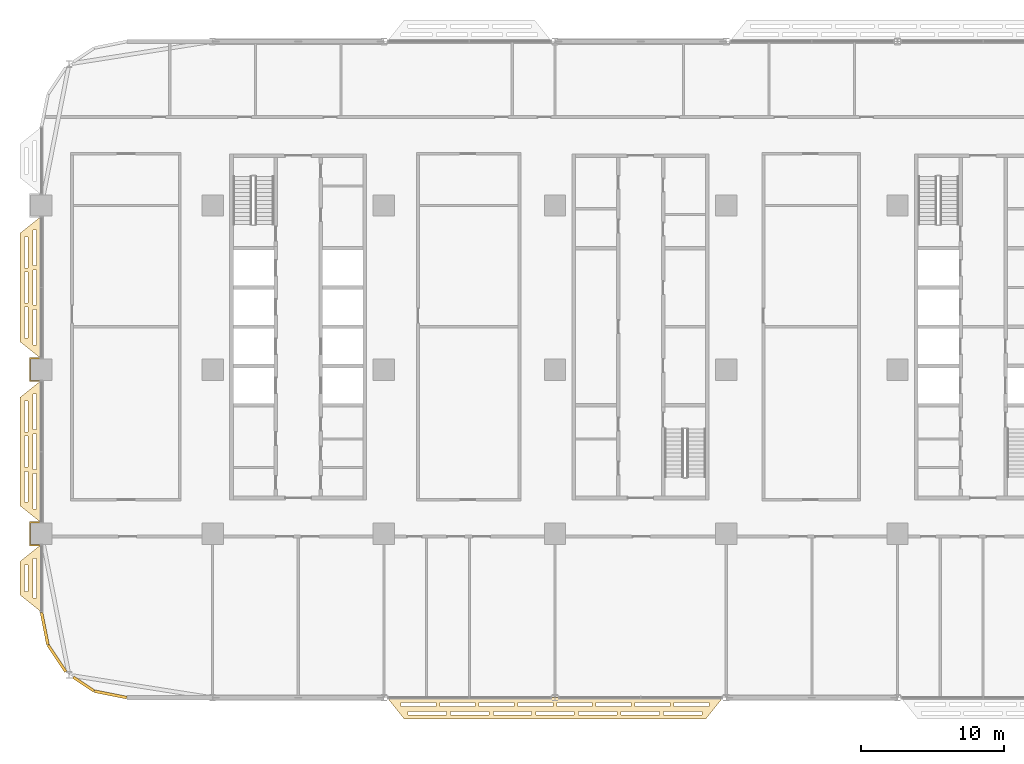
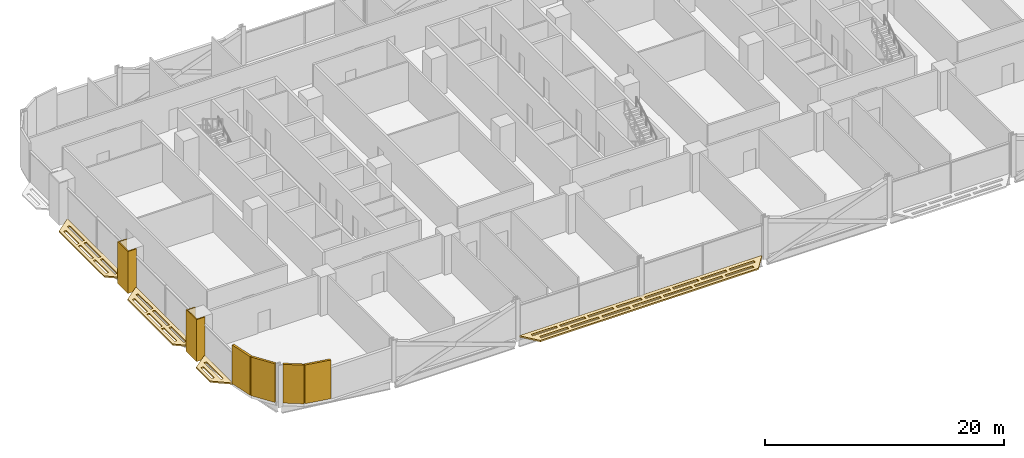
# One storey, part 24 of 29: 10 coverings.
"""IFC4 building model written with IfcOpenShell, lengths in metres."""

from ifc_helpers import new_model, si_unit, direction, frame, origin, origin_2d, place, context, subcontext, project, spatial, polyline, rectangle, outline, extrude, material, layer, layer_set, type_object, element, save


model = new_model("IFC4")

# Units and contexts
model_context = context("Model", 3, precision=1e-05, world=origin(), true_north=direction((0.0, 1.0)))
body_context = subcontext(model_context, "Body", "Model", "MODEL_VIEW")
ifc_project = project(units=[si_unit("LENGTHUNIT", "METRE"), si_unit("AREAUNIT", "SQUARE_METRE"), si_unit("VOLUMEUNIT", "CUBIC_METRE"), si_unit("PLANEANGLEUNIT", "RADIAN"), si_unit("MASSUNIT", "GRAM", prefix="KILO")], contexts=[model_context])

# Site, building, storey
site_placement = place(None, origin())
site = spatial("IfcSite", under=ifc_project, at=site_placement, CompositionType="ELEMENT")
building_placement = place(site_placement, origin())
building = spatial("IfcBuilding", under=site, at=building_placement, Name="Mahtab Terrace Research Tower", CompositionType="ELEMENT")
storey_placement = place(building_placement, frame((0.0, 0.0, 54.60009765625)))
storey = spatial("IfcBuildingStorey", under=building, at=storey_placement, Name="L12", CompositionType="ELEMENT", Elevation=54.60009765625)

# Coverings
ifc_material_1 = material(Name="Black aluminium cladding panel", Category="aluminium")
ifc_layer_1 = layer(ifc_material_1, 0.199951171875)
ifc_layer_set_1 = layer_set([ifc_layer_1], Name="Black metal corner cladding 200")
covering_type_1 = type_object("IfcCoveringType", Name="Black metal corner cladding 200", PredefinedType="CLADDING", material=ifc_layer_set_1)
covering_1_placement = place(storey_placement, frame((-41.771484375, -18.14794921875, 0.0), z_axis=(0.0, 0.0, 1.0), x_axis=(0.195212442692, -0.980760981187, 0.0)))
element("IfcCovering", 1, at=covering_1_placement, inside=storey, type_object=covering_type_1, Name="Corner cladding L12 19", PredefinedType="CLADDING", context=body_context, shape_type="SweptSolid", body=[
    extrude(rectangle(XDim=2.30126953125, YDim=0.199951171875, at=origin_2d()), origin(), (0.0, 0.0, 1.0), 3.9599609375),
])
covering_2_placement = place(storey_placement, frame((-40.911376953125, -20.2421875, 0.0), z_axis=(0.0, 0.0, 1.0), x_axis=(0.555291490808, -0.831655794326, 0.0)))
element("IfcCovering", 2, at=covering_2_placement, inside=storey, type_object=covering_type_1, Name="Corner cladding L12 20", PredefinedType="CLADDING", context=body_context, shape_type="SweptSolid", body=[
    extrude(rectangle(XDim=2.235595703125, YDim=0.199951171875, at=origin_2d()), origin(), (0.0, 0.0, 1.0), 3.9599609375),
])
covering_3_placement = place(storey_placement, frame((-39.0380859375, -22.047607421875, 0.0), z_axis=(0.0, 0.0, 1.0), x_axis=(0.831655794326, -0.555291490808, 0.0)))
element("IfcCovering", 3, at=covering_3_placement, inside=storey, type_object=covering_type_1, Name="Corner cladding L12 21", PredefinedType="CLADDING", context=body_context, shape_type="SweptSolid", body=[
    extrude(rectangle(XDim=1.74462890625, YDim=0.199951171875, at=origin_2d()), origin(), (0.0, 0.0, 1.0), 3.9599609375),
])
covering_4_placement = place(storey_placement, frame((-37.14794921875, -22.771484375, 0.0), z_axis=(0.0, 0.0, 1.0), x_axis=(0.980760981187, -0.195212442692, 0.0)))
element("IfcCovering", 4, at=covering_4_placement, inside=storey, type_object=covering_type_1, Name="Corner cladding L12 22", PredefinedType="CLADDING", context=body_context, shape_type="SweptSolid", body=[
    extrude(rectangle(XDim=2.30126953125, YDim=0.199951171875, at=origin_2d()), origin(), (0.0, 0.0, 1.0), 3.9599609375),
])
ifc_material_2 = material(Name="Dark anodised aluminium cladding", Category="aluminium")
ifc_layer_2 = layer(ifc_material_2, 0.10009765625)
ifc_layer_set_2 = layer_set([ifc_layer_2], Name="Column casing 100")
covering_type_2 = type_object("IfcCoveringType", Name="Column casing 100", PredefinedType="CLADDING", material=ifc_layer_set_2)
covering_5_placement = place(storey_placement, frame((0.0, 0.0, -0.340087890625)))
element("IfcCovering", 5, at=covering_5_placement, inside=storey, type_object=covering_type_2, Name="Column casing RC-1A L12", PredefinedType="CLADDING", context=body_context, shape_type="SweptSolid", body=[
    extrude(outline(polyline([(-42.85009765625, -10.64990234375), (-42.0, -10.64990234375), (-42.0, -10.75), (-42.75, -10.75), (-42.75, -12.25), (-42.0, -12.25), (-42.0, -12.35009765625), (-42.85009765625, -12.35009765625), (-42.85009765625, -10.64990234375)])), origin(), (0.0, 0.0, 1.0), 4.300048828125),
])
covering_6_placement = place(storey_placement, frame((0.0, 0.0, -0.340087890625)))
element("IfcCovering", 6, at=covering_6_placement, inside=storey, type_object=covering_type_2, Name="Column casing RC-1B L12", PredefinedType="CLADDING", context=body_context, shape_type="SweptSolid", body=[
    extrude(outline(polyline([(-42.85009765625, 0.85009765625), (-42.0, 0.85009765625), (-42.0, 0.75), (-42.75, 0.75), (-42.75, -0.75), (-42.0, -0.75), (-42.0, -0.85009765625), (-42.85009765625, -0.85009765625), (-42.85009765625, 0.85009765625)])), origin(), (0.0, 0.0, 1.0), 4.300048828125),
])
ifc_material_3 = material(Name="Black anodised aluminium", Category="aluminium")
ifc_layer_3 = layer(ifc_material_3, 0.14990234375)
ifc_layer_set_3 = layer_set([ifc_layer_3], Name="Horizontal sunshade band")
covering_type_3 = type_object("IfcCoveringType", Name="Horizontal sunshade band", PredefinedType="CLADDING", material=ifc_layer_set_3)
covering_7_placement = place(storey_placement, frame((0.0, 0.0, -0.150146484375)))
element("IfcCovering", 7, at=covering_7_placement, inside=storey, type_object=covering_type_3, Name="Sunshade band L12 16", PredefinedType="CLADDING", context=body_context, shape_type="SweptSolid", body=[
    extrude(outline(polyline([(-42.0, 10.75), (-42.0, 0.75), (-43.5, 1.949951171875), (-43.5, 9.550048828125), (-42.0, 10.75)]), holes=[polyline([(-42.35009765625, 9.77001953125), (-42.35009765625, 7.2900390625), (-42.60009765625, 7.2900390625), (-42.60009765625, 9.77001953125), (-42.35009765625, 9.77001953125)]), polyline([(-42.35009765625, 6.989990234375), (-42.35009765625, 4.510009765625), (-42.60009765625, 4.510009765625), (-42.60009765625, 6.989990234375), (-42.35009765625, 6.989990234375)]), polyline([(-42.35009765625, 4.2099609375), (-42.35009765625, 1.72998046875), (-42.60009765625, 1.72998046875), (-42.60009765625, 4.2099609375), (-42.35009765625, 4.2099609375)]), polyline([(-42.949951171875, 9.2900390625), (-42.949951171875, 7.1298828125), (-43.199951171875, 7.1298828125), (-43.199951171875, 9.2900390625), (-42.949951171875, 9.2900390625)]), polyline([(-42.949951171875, 6.830078125), (-42.949951171875, 4.669921875), (-43.199951171875, 4.669921875), (-43.199951171875, 6.830078125), (-42.949951171875, 6.830078125)]), polyline([(-42.949951171875, 4.3701171875), (-42.949951171875, 2.2099609375), (-43.199951171875, 2.2099609375), (-43.199951171875, 4.3701171875), (-42.949951171875, 4.3701171875)])]), origin(), (0.0, 0.0, 1.0), 0.150146484375),
])
covering_8_placement = place(storey_placement, frame((0.0, 0.0, -0.150146484375)))
element("IfcCovering", 8, at=covering_8_placement, inside=storey, type_object=covering_type_3, Name="Sunshade band L12 17", PredefinedType="CLADDING", context=body_context, shape_type="SweptSolid", body=[
    extrude(outline(polyline([(-42.0, -0.75), (-42.0, -10.75), (-43.5, -9.550048828125), (-43.5, -1.949951171875), (-42.0, -0.75)]), holes=[polyline([(-42.35009765625, -1.72998046875), (-42.35009765625, -4.2099609375), (-42.60009765625, -4.2099609375), (-42.60009765625, -1.72998046875), (-42.35009765625, -1.72998046875)]), polyline([(-42.35009765625, -4.510009765625), (-42.35009765625, -6.989990234375), (-42.60009765625, -6.989990234375), (-42.60009765625, -4.510009765625), (-42.35009765625, -4.510009765625)]), polyline([(-42.35009765625, -7.2900390625), (-42.35009765625, -9.77001953125), (-42.60009765625, -9.77001953125), (-42.60009765625, -7.2900390625), (-42.35009765625, -7.2900390625)]), polyline([(-42.949951171875, -2.2099609375), (-42.949951171875, -4.3701171875), (-43.199951171875, -4.3701171875), (-43.199951171875, -2.2099609375), (-42.949951171875, -2.2099609375)]), polyline([(-42.949951171875, -4.669921875), (-42.949951171875, -6.830078125), (-43.199951171875, -6.830078125), (-43.199951171875, -4.669921875), (-42.949951171875, -4.669921875)]), polyline([(-42.949951171875, -7.1298828125), (-42.949951171875, -9.2900390625), (-43.199951171875, -9.2900390625), (-43.199951171875, -7.1298828125), (-42.949951171875, -7.1298828125)])]), origin(), (0.0, 0.0, 1.0), 0.150146484375),
])
covering_9_placement = place(storey_placement, frame((0.0, 0.0, -0.150146484375)))
element("IfcCovering", 9, at=covering_9_placement, inside=storey, type_object=covering_type_3, Name="Sunshade band L12 18", PredefinedType="CLADDING", context=body_context, shape_type="SweptSolid", body=[
    extrude(outline(polyline([(-42.0, -12.25), (-42.0, -17.0), (-43.5, -15.800048828125), (-43.5, -13.449951171875), (-42.0, -12.25)]), holes=[polyline([(-42.35009765625, -13.22998046875), (-42.35009765625, -16.02001953125), (-42.60009765625, -16.02001953125), (-42.60009765625, -13.22998046875), (-42.35009765625, -13.22998046875)]), polyline([(-42.949951171875, -13.7099609375), (-42.949951171875, -15.5400390625), (-43.199951171875, -15.5400390625), (-43.199951171875, -13.7099609375), (-42.949951171875, -13.7099609375)])]), origin(), (0.0, 0.0, 1.0), 0.150146484375),
])
covering_10_placement = place(storey_placement, frame((0.0, 0.0, -0.150146484375)))
element("IfcCovering", 10, at=covering_10_placement, inside=storey, type_object=covering_type_3, Name="Sunshade band L12 25", PredefinedType="CLADDING", context=body_context, shape_type="SweptSolid", body=[
    extrude(outline(polyline([(-17.761962890625, -23.0), (5.761962890625, -23.0), (4.56201171875, -24.5), (-16.56201171875, -24.5), (-17.761962890625, -23.0)]), holes=[polyline([(-16.781982421875, -23.35009765625), (-14.34912109375, -23.35009765625), (-14.34912109375, -23.60009765625), (-16.781982421875, -23.60009765625), (-16.781982421875, -23.35009765625)]), polyline([(-14.049072265625, -23.35009765625), (-11.615966796875, -23.35009765625), (-11.615966796875, -23.60009765625), (-14.049072265625, -23.60009765625), (-14.049072265625, -23.35009765625)]), polyline([(-11.31591796875, -23.35009765625), (-8.883056640625, -23.35009765625), (-8.883056640625, -23.60009765625), (-11.31591796875, -23.60009765625), (-11.31591796875, -23.35009765625)]), polyline([(-8.5830078125, -23.35009765625), (-6.14990234375, -23.35009765625), (-6.14990234375, -23.60009765625), (-8.5830078125, -23.60009765625), (-8.5830078125, -23.35009765625)]), polyline([(-5.85009765625, -23.35009765625), (-3.4169921875, -23.35009765625), (-3.4169921875, -23.60009765625), (-5.85009765625, -23.60009765625), (-5.85009765625, -23.35009765625)]), polyline([(-3.116943359375, -23.35009765625), (-0.68408203125, -23.35009765625), (-0.68408203125, -23.60009765625), (-3.116943359375, -23.60009765625), (-3.116943359375, -23.35009765625)]), polyline([(-0.384033203125, -23.35009765625), (2.049072265625, -23.35009765625), (2.049072265625, -23.60009765625), (-0.384033203125, -23.60009765625), (-0.384033203125, -23.35009765625)]), polyline([(2.34912109375, -23.35009765625), (4.781982421875, -23.35009765625), (4.781982421875, -23.60009765625), (2.34912109375, -23.60009765625), (2.34912109375, -23.35009765625)]), polyline([(-16.302001953125, -23.949951171875), (-13.615966796875, -23.949951171875), (-13.615966796875, -24.199951171875), (-16.302001953125, -24.199951171875), (-16.302001953125, -23.949951171875)]), polyline([(-13.31591796875, -23.949951171875), (-10.62890625, -23.949951171875), (-10.62890625, -24.199951171875), (-13.31591796875, -24.199951171875), (-13.31591796875, -23.949951171875)]), polyline([(-10.3291015625, -23.949951171875), (-7.64306640625, -23.949951171875), (-7.64306640625, -24.199951171875), (-10.3291015625, -24.199951171875), (-10.3291015625, -23.949951171875)]), polyline([(-7.343017578125, -23.949951171875), (-4.656982421875, -23.949951171875), (-4.656982421875, -24.199951171875), (-7.343017578125, -24.199951171875), (-7.343017578125, -23.949951171875)]), polyline([(-4.35693359375, -23.949951171875), (-1.6708984375, -23.949951171875), (-1.6708984375, -24.199951171875), (-4.35693359375, -24.199951171875), (-4.35693359375, -23.949951171875)]), polyline([(-1.37109375, -23.949951171875), (1.31591796875, -23.949951171875), (1.31591796875, -24.199951171875), (-1.37109375, -24.199951171875), (-1.37109375, -23.949951171875)]), polyline([(1.615966796875, -23.949951171875), (4.302001953125, -23.949951171875), (4.302001953125, -24.199951171875), (1.615966796875, -24.199951171875), (1.615966796875, -23.949951171875)])]), origin(), (0.0, 0.0, 1.0), 0.150146484375),
])

save(model, "model.ifc")
